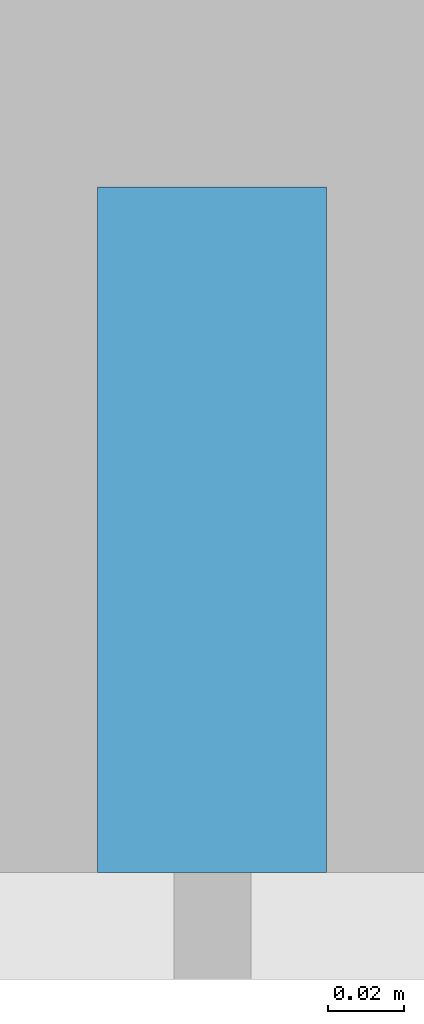
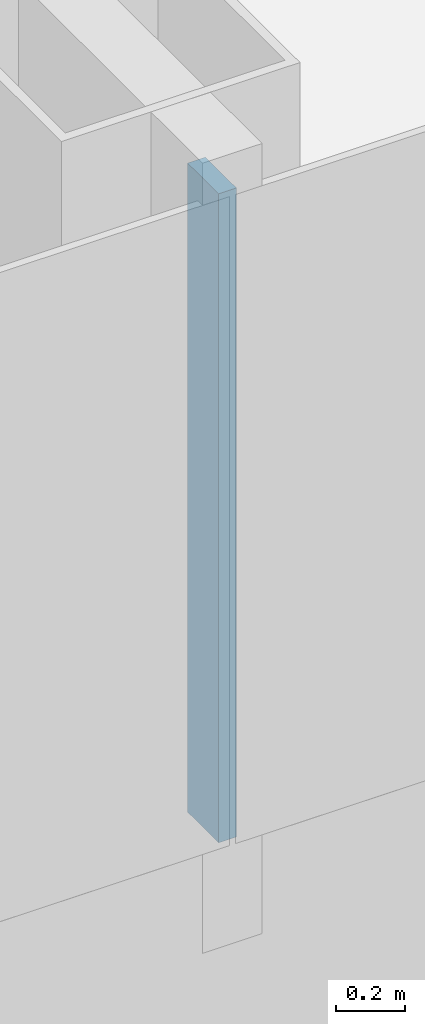
# One storey, part 6 of 29: 1 member, 1 element without a shape of its own.
"""IFC4 building model written with IfcOpenShell, lengths in metres."""

from ifc_helpers import new_model, si_unit, direction, frame, origin, origin_2d, place, context, subcontext, project, spatial, rectangle, extrude, material, layer, layer_set, material_profile, profile_set, type_object, element, aggregate, save


model = new_model("IFC4")

# Units and contexts
model_context = context("Model", 3, precision=1e-05, world=origin(), true_north=direction((0.0, 1.0)))
body_context = subcontext(model_context, "Body", "Model", "MODEL_VIEW")
ifc_project = project(units=[si_unit("LENGTHUNIT", "METRE"), si_unit("AREAUNIT", "SQUARE_METRE"), si_unit("VOLUMEUNIT", "CUBIC_METRE"), si_unit("PLANEANGLEUNIT", "RADIAN"), si_unit("MASSUNIT", "GRAM", prefix="KILO")], contexts=[model_context])

# Site, building, storey
site_placement = place(None, origin())
site = spatial("IfcSite", under=ifc_project, at=site_placement, CompositionType="ELEMENT")
building_placement = place(site_placement, origin())
building = spatial("IfcBuilding", under=site, at=building_placement, Name="Hakoniwa Tower and Hamabe Station Hall", CompositionType="ELEMENT")
storey_placement = place(building_placement, frame((0.0, 0.0, 101.0)))
storey = spatial("IfcBuildingStorey", under=building, at=storey_placement, Name="L28", CompositionType="ELEMENT", Elevation=101.0)

# Curtain wall, member
ifc_material_1 = material(Name="Dark low-e laminated glass", Category="glass")
ifc_layer = layer(ifc_material_1, 0.199951171875)
ifc_layer_set = layer_set([ifc_layer], Name="CW-1 UNITISED GUEST")
curtain_wall_type = type_object("IfcCurtainWallType", Name="CW-1 UNITISED GUEST", PredefinedType="NOTDEFINED", material=ifc_layer_set)
curtain_wall_placement = place(storey_placement, origin())
curtain_wall = element("IfcCurtainWall", 1, at=curtain_wall_placement, inside=storey, type_object=curtain_wall_type, Name="CW-1 curtain wall", PredefinedType="NOTDEFINED")
ifc_material_2 = material(Name="Aluminium 6063-T5 black anodised", Category="aluminium")
ifc_material_profile = material_profile(ifc_material_2, rectangle(XDim=0.06005859375, YDim=0.179931640625, at=origin_2d()), Name="CW-1 MULLION 60X180")
ifc_profile_set = profile_set([ifc_material_profile], Name="Aluminium 6063-T5 black anodised")
member_type = type_object("IfcMemberType", Name="CW-1 MULLION 60X180", PredefinedType="MULLION", material=ifc_profile_set)
member_placement = place(storey_placement, frame((8.39990234375, -15.431884765625, 0.35009765625), z_axis=(0.0, 0.0, 1.0), x_axis=(1.0, 0.0, 0.0)))
member = element("IfcMember", 2, at=member_placement, type_object=member_type, Name="CW-1 mullion", PredefinedType="MULLION", context=body_context, shape_type="SweptSolid", body=[
    extrude(rectangle(XDim=0.06005859375, YDim=0.179931640625, at=origin_2d()), origin(), (0.0, 0.0, 1.0), 2.2998046875),
])
aggregate(curtain_wall, [member])

save(model, "model.ifc")
